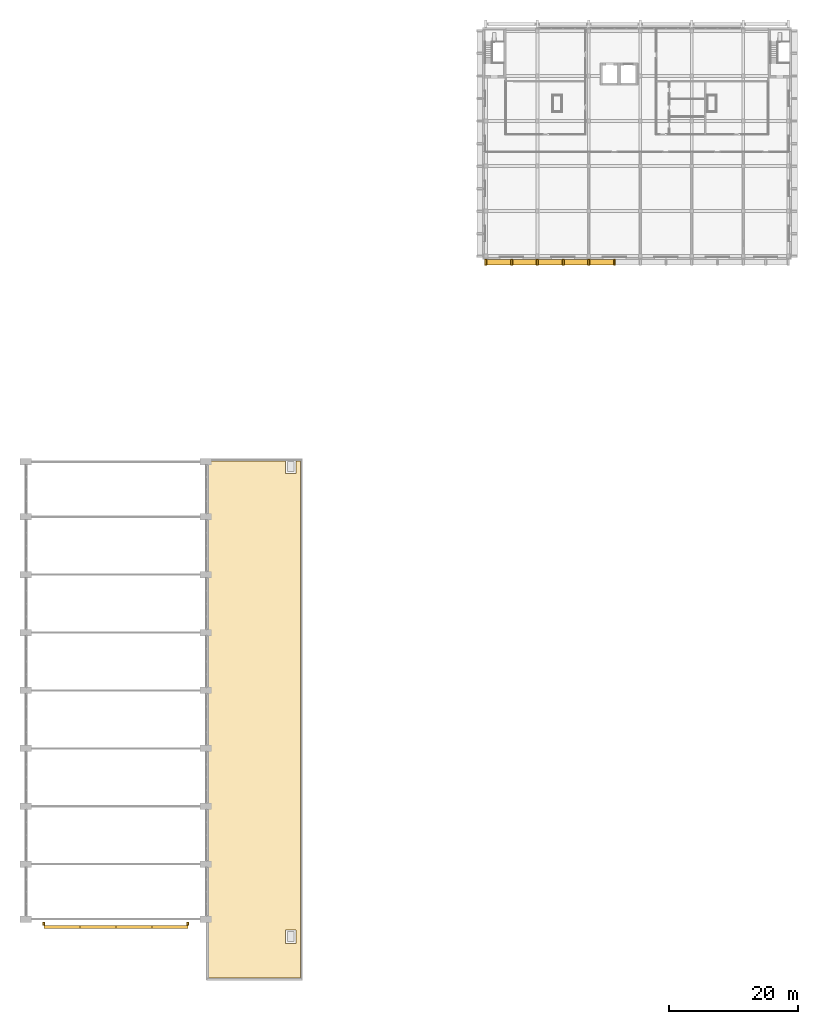
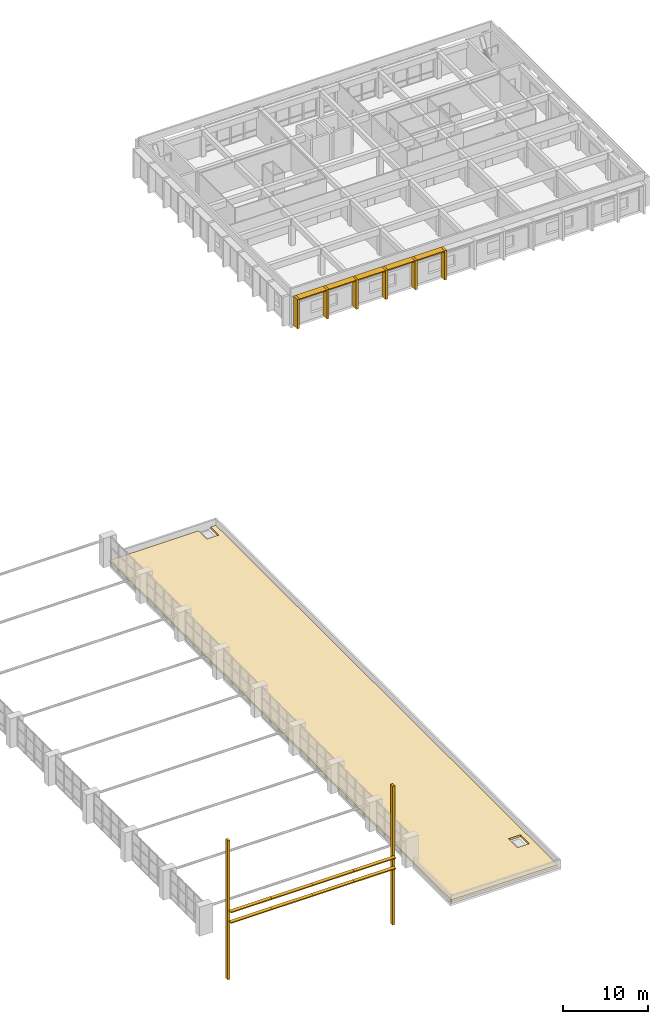
# One storey, part 20 of 21: 21 shading devices, 1 covering.
"""IFC4 building model written with IfcOpenShell, lengths in metres."""

import ifcopenshell
import ifcopenshell.guid

model = None  # the IFC model being written
_history = None  # IfcOwnerHistory: only IFC2X3 demands one
_inside = {}  # id of a spatial element -> (the spatial element, [elements in it])
_under = {}  # id of a project, library or spatial element -> (it, [spatial elements below it])
_declared = {}  # id of a project -> (the project, [libraries it declares])
_typed = {}  # id of a type object -> (the type object, [elements of that type])
_made_of = {}  # id of a material, layer set ... -> (it, [elements and type objects made of it])


def new_model(schema):
    """Start an empty IFC model of exactly this schema.

    Asked for "IFC4X3", IfcOpenShell would pick the latest addendum, in which some entities
    have other attributes; the version numbers below select the first issue.
    IFC2X3 requires an IfcOwnerHistory on every rooted entity: one is made here for all.
    """
    global model, _history
    if schema == "IFC4X3":
        model = ifcopenshell.file(schema_version=(4, 3, 0, 0))
    else:
        model = ifcopenshell.file(schema=schema)
    _inside.clear()
    _under.clear()
    _declared.clear()
    _typed.clear()
    _made_of.clear()
    _history = None
    if model.schema == "IFC2X3":
        org = make("IfcOrganization", Name="unknown")
        user = make(
            "IfcPersonAndOrganization",
            ThePerson=make("IfcPerson", FamilyName="unknown"),
            TheOrganization=org,
        )
        app = make(
            "IfcApplication",
            ApplicationDeveloper=org,
            Version="unknown",
            ApplicationFullName="unknown",
            ApplicationIdentifier="unknown",
        )
        _history = make(
            "IfcOwnerHistory",
            OwningUser=user,
            OwningApplication=app,
            ChangeAction="ADDED",
            CreationDate=0,
        )
    return model


def make(cls, **values):
    """One entity of the class cls with the attributes given. An attribute that is None is left unset."""
    return model.create_entity(
        cls, **{name: value for name, value in values.items() if value is not None}
    )


def rooted(cls, **values):
    """An entity with a GlobalId (a new one), such as an element, a storey or a relation."""
    return make(cls, GlobalId=ifcopenshell.guid.new(), OwnerHistory=_history, **values)


def si_unit(unit_type, name, prefix=None):
    """IfcSIUnit, for example si_unit("LENGTHUNIT", "METRE", prefix="MILLI")."""
    return make("IfcSIUnit", UnitType=unit_type, Prefix=prefix, Name=name)


def assignment(units):
    """IfcUnitAssignment: the units of a project."""
    return None if units is None else make("IfcUnitAssignment", Units=units)


def point(xyz):
    """IfcCartesianPoint."""
    return None if xyz is None else make("IfcCartesianPoint", Coordinates=xyz)


def direction(xyz):
    """IfcDirection."""
    return None if xyz is None else make("IfcDirection", DirectionRatios=xyz)


def frame(location, z_axis=None, x_axis=None):
    """IfcAxis2Placement3D, a coordinate frame: its origin and axes. An axis left out is left unset."""
    return make(
        "IfcAxis2Placement3D",
        Location=point(location),
        Axis=direction(z_axis),
        RefDirection=direction(x_axis),
    )


def frame_2d(location, x_axis=None):
    """IfcAxis2Placement2D, a coordinate frame in the plane: its origin and x axis."""
    return make(
        "IfcAxis2Placement2D", Location=point(location), RefDirection=direction(x_axis)
    )


def origin():
    """The frame at (0, 0, 0) with its axes left unset."""
    return frame((0.0, 0.0, 0.0))


def origin_2d():
    """The frame at (0, 0) in the plane with its x axis left unset."""
    return frame_2d((0.0, 0.0))


def place(relative_to, where):
    """IfcLocalPlacement: puts the frame where relative to a parent placement (None: the world)."""
    return make(
        "IfcLocalPlacement", PlacementRelTo=relative_to, RelativePlacement=where
    )


def context(
    kind, dimensions, precision=None, world=None, true_north=None, identifier=None
):
    """IfcGeometricRepresentationContext, for example the 3D "Model" context."""
    return make(
        "IfcGeometricRepresentationContext",
        ContextIdentifier=identifier,
        ContextType=kind,
        CoordinateSpaceDimension=dimensions,
        Precision=precision,
        WorldCoordinateSystem=world,
        TrueNorth=true_north,
    )


def subcontext(parent, identifier, kind, view, scale=None):
    """IfcGeometricRepresentationSubContext, for example "Body" below "Model"."""
    return make(
        "IfcGeometricRepresentationSubContext",
        ContextIdentifier=identifier,
        ContextType=kind,
        ParentContext=parent,
        TargetScale=scale,
        TargetView=view,
    )


def project(units=None, contexts=None):
    """IfcProject with its units and contexts."""
    return rooted(
        "IfcProject",
        Name="project",
        RepresentationContexts=contexts,
        UnitsInContext=assignment(units),
    )


def spatial(cls, under=None, at=None, **own):
    """A site, building, storey or space (cls), placed at a placement, below another one or the project."""
    s = rooted(cls, ObjectPlacement=at, **own)
    if under is not None:
        _under.setdefault(under.id(), (under, []))[1].append(s)
    return s


def polyline(points):
    """IfcPolyline through the points."""
    return make("IfcPolyline", Points=[point(p) for p in points])


def profile(cls, at=None, kind="AREA", **sizes):
    """A parametric profile (cls). Its sizes go by their IFC names, for example OverallWidth=200.0."""
    return make(cls, ProfileType=kind, Position=at, **sizes)


def rectangle(**sizes):
    """IfcRectangleProfileDef."""
    return profile("IfcRectangleProfileDef", **sizes)


def outline(outer, holes=None, kind="AREA"):
    """IfcArbitraryClosedProfileDef: a profile drawn as a closed curve; with holes, ...WithVoids."""
    if holes is None:
        return make("IfcArbitraryClosedProfileDef", ProfileType=kind, OuterCurve=outer)
    return make(
        "IfcArbitraryProfileDefWithVoids",
        ProfileType=kind,
        OuterCurve=outer,
        InnerCurves=holes,
    )


def extrude(swept, where, along, depth):
    """IfcExtrudedAreaSolid: the profile swept, set in the frame where, extruded along a direction by depth."""
    return make(
        "IfcExtrudedAreaSolid",
        SweptArea=swept,
        Position=where,
        ExtrudedDirection=direction(along),
        Depth=depth,
    )


def shape(context_of_items, identifier, shape_type, items):
    """IfcShapeRepresentation: the items that make up one representation, for example the "Body"."""
    return make(
        "IfcShapeRepresentation",
        ContextOfItems=context_of_items,
        RepresentationIdentifier=identifier,
        RepresentationType=shape_type,
        Items=items,
    )


def material(Name=None, Category=None):
    """IfcMaterial."""
    return make("IfcMaterial", Name=Name, Category=Category)


def layer(
    of_material, thickness, ventilated=None, Name=None, Category=None, Priority=None
):
    """IfcMaterialLayer: one layer of a wall or slab, of a material (None: an air gap)."""
    return make(
        "IfcMaterialLayer",
        Material=of_material,
        LayerThickness=thickness,
        IsVentilated=ventilated,
        Name=Name,
        Category=Category,
        Priority=Priority,
    )


def layer_set(layers, Name=None):
    """IfcMaterialLayerSet."""
    return make("IfcMaterialLayerSet", MaterialLayers=layers, LayerSetName=Name)


def made_of(thing, what):
    """Note that an element or type object is made of a material, layer set ...; save() writes the relation."""
    if what is not None:
        _made_of.setdefault(what.id(), (what, []))[1].append(thing)
    return thing


def type_object(cls, material=None, **own):
    """A type object (cls), such as IfcWallType, which elements share."""
    return made_of(rooted(cls, **own), material)


def element(
    cls,
    number,
    at=None,
    inside=None,
    cuts=None,
    type_object=None,
    material=None,
    context=None,
    identifier="Body",
    shape_type=None,
    held_by="IfcProductDefinitionShape",
    body=None,
    shapes=None,
    **own,
):
    """One element of the class cls, such as IfcWall. Its Tag is "e" and its number.

    at: its placement. inside: the storey or other place that contains it. cuts: it is an
    opening in that element (IfcRelVoidsElement). A single representation is given by context,
    identifier, shape_type and body (its items); several are given by shapes. held_by: the class
    of the entity that holds the representations. save() writes the other relations.
    """
    e = rooted(cls, Tag="e%d" % number, ObjectPlacement=at, **own)
    if body is not None:
        shapes = [shape(context, identifier, shape_type, body)]
    if shapes is not None:
        e.Representation = make(held_by, Representations=shapes)
    if inside is not None:
        _inside.setdefault(inside.id(), (inside, []))[1].append(e)
    if cuts is not None:
        rooted(
            "IfcRelVoidsElement", RelatingBuildingElement=cuts, RelatedOpeningElement=e
        )
    if type_object is not None:
        _typed.setdefault(type_object.id(), (type_object, []))[1].append(e)
    return made_of(e, material)


def aggregate(whole, parts):
    """IfcRelAggregates: a whole, such as a stair, and the parts it consists of."""
    return rooted("IfcRelAggregates", RelatingObject=whole, RelatedObjects=parts)


def save(model, path):
    """Write the relations noted so far, then the file.

    IfcRelAggregates (storeys below a building ...), IfcRelContainedInSpatialStructure (elements
    in a storey), IfcRelDefinesByType, IfcRelAssociatesMaterial and IfcRelDeclares: one each for
    every whole, place, type object, material and project.
    """
    for whole, parts in _under.values():
        aggregate(whole, parts)
    for where, things in _inside.values():
        rooted(
            "IfcRelContainedInSpatialStructure",
            RelatedElements=things,
            RelatingStructure=where,
        )
    for kind, things in _typed.values():
        rooted("IfcRelDefinesByType", RelatedObjects=things, RelatingType=kind)
    for what, things in _made_of.values():
        rooted("IfcRelAssociatesMaterial", RelatedObjects=things, RelatingMaterial=what)
    for by, libraries in _declared.values():
        rooted("IfcRelDeclares", RelatingContext=by, RelatedDefinitions=libraries)
    model.write(path)


model = new_model("IFC4")

# Units and contexts
model_context = context("Model", 3, precision=1e-05, world=origin(), true_north=direction((0.0, 1.0)))
body_context = subcontext(model_context, "Body", "Model", "MODEL_VIEW")
ifc_project = project(units=[si_unit("LENGTHUNIT", "METRE"), si_unit("AREAUNIT", "SQUARE_METRE"), si_unit("VOLUMEUNIT", "CUBIC_METRE"), si_unit("PLANEANGLEUNIT", "RADIAN"), si_unit("MASSUNIT", "GRAM", prefix="KILO")], contexts=[model_context])

# Site, building, storey
site_placement = place(None, origin())
site = spatial("IfcSite", under=ifc_project, at=site_placement, CompositionType="ELEMENT")
building_placement = place(site_placement, origin())
building = spatial("IfcBuilding", under=site, at=building_placement, Name="Elmora Arch Market Hall", CompositionType="ELEMENT")
storey_placement = place(building_placement, frame((0.0, 0.0, 14.39990234375)))
storey = spatial("IfcBuildingStorey", under=building, at=storey_placement, Name="L03", CompositionType="ELEMENT", Elevation=14.39990234375)

# Shading devices
ifc_material_1 = material(Name="Concrete C40/50", Category="concrete")
ifc_layer_1 = layer(ifc_material_1, 0.14990234375)
ifc_layer_set_1 = layer_set([ifc_layer_1], Name="Concrete C40/50")
shading_device_type_1 = type_object("IfcShadingDeviceType", Name="Brise-soleil blade 150 x 500", PredefinedType="USERDEFINED", material=ifc_layer_set_1)
for number, where, z_axis, x_axis, name in (
    (1, (20.60009765625, 26.25, 1.125244140625), (0.0, 0.0, 1.0), (1.0, 0.0, 0.0), "South gable blade 1.6"),
    (2, (20.60009765625, 26.25, 2.625244140625), (0.0, 0.0, 1.0), (1.0, 0.0, 0.0), "South gable blade 1.7"),
    (3, (26.199951171875, 26.25, 1.125244140625), (0.0, 0.0, 1.0), (1.0, 0.0, 0.0), "South gable blade 2.6"),
    (4, (26.199951171875, 26.25, 2.625244140625), (0.0, 0.0, 1.0), (1.0, 0.0, 0.0), "South gable blade 2.7"),
    (5, (31.800048828125, 26.25, 1.125244140625), (0.0, 0.0, 1.0), (1.0, 0.0, 0.0), "South gable blade 3.6"),
    (6, (31.800048828125, 26.25, 2.625244140625), (0.0, 0.0, 1.0), (1.0, 0.0, 0.0), "South gable blade 3.7"),
    (7, (37.39990234375, 26.25, 1.125244140625), (0.0, 0.0, 1.0), (1.0, 0.0, 0.0), "South gable blade 4.6"),
    (8, (37.39990234375, 26.25, 2.625244140625), (0.0, 0.0, 1.0), (1.0, 0.0, 0.0), "South gable blade 4.7"),
):
    element("IfcShadingDevice", number, at=place(storey_placement, frame(where, z_axis=z_axis, x_axis=x_axis)), inside=storey, type_object=shading_device_type_1, Name=name, ObjectType="BLADE", PredefinedType="USERDEFINED", context=body_context, shape_type="SweptSolid", body=[
        extrude(rectangle(XDim=5.60009765625, YDim=0.5, at=origin_2d()), origin(), (0.0, 0.0, 1.0), 0.14990234375),
    ])
ifc_material_2 = material(Name="Concrete C40/50", Category="concrete")
ifc_layer_2 = layer(ifc_material_2, 0.14990234375)
ifc_layer_set_2 = layer_set([ifc_layer_2], Name="Concrete C40/50")
shading_device_type_2 = type_object("IfcShadingDeviceType", Name="Concrete blade 150x900", PredefinedType="USERDEFINED", material=ifc_layer_set_2)
for number, where, z_axis, x_axis, name in (
    (9, (88.5, 129.550048828125, 4.050048828125), (0.0, 0.0, 1.0), (1.0, 0.0, 0.0), "School blade S1 RF"),
    (10, (92.5, 129.550048828125, 4.050048828125), (0.0, 0.0, 1.0), (1.0, 0.0, 0.0), "School blade S2 RF"),
    (11, (96.5, 129.550048828125, 4.050048828125), (0.0, 0.0, 1.0), (1.0, 0.0, 0.0), "School blade S3 RF"),
    (12, (100.5, 129.550048828125, 4.050048828125), (0.0, 0.0, 1.0), (1.0, 0.0, 0.0), "School blade S4 RF"),
    (13, (104.5, 129.550048828125, 4.050048828125), (0.0, 0.0, 1.0), (1.0, 0.0, 0.0), "School blade S5 RF"),
):
    element("IfcShadingDevice", number, at=place(storey_placement, frame(where, z_axis=z_axis, x_axis=x_axis)), inside=storey, type_object=shading_device_type_2, Name=name, ObjectType="BLADE", PredefinedType="USERDEFINED", context=body_context, shape_type="SweptSolid", body=[
        extrude(rectangle(XDim=3.699951171875, YDim=0.89990234375, at=origin_2d()), origin(), (0.0, 0.0, 1.0), 0.14990234375),
    ])
ifc_material_3 = material(Name="Concrete C40/50", Category="concrete")
shading_device_type_3 = type_object("IfcShadingDeviceType", Name="Concrete fin 300x900", PredefinedType="USERDEFINED", material=ifc_material_3)
for number, where, z_axis, x_axis, name in (
    (14, (86.5, 129.550048828125, 0.0), (0.0, 0.0, 1.0), (1.0, 0.0, 0.0), "School fin S1 L03"),
    (15, (90.5, 129.550048828125, 0.0), (0.0, 0.0, 1.0), (1.0, 0.0, 0.0), "School fin S2 L03"),
    (16, (94.5, 129.550048828125, 0.0), (0.0, 0.0, 1.0), (1.0, 0.0, 0.0), "School fin S3 L03"),
    (17, (98.5, 129.550048828125, 0.0), (0.0, 0.0, 1.0), (1.0, 0.0, 0.0), "School fin S4 L03"),
    (18, (102.5, 129.550048828125, 0.0), (0.0, 0.0, 1.0), (1.0, 0.0, 0.0), "School fin S5 L03"),
    (19, (106.5, 129.550048828125, 0.0), (0.0, 0.0, 1.0), (1.0, 0.0, 0.0), "School fin S6 L03"),
):
    element("IfcShadingDevice", number, at=place(storey_placement, frame(where, z_axis=z_axis, x_axis=x_axis)), inside=storey, type_object=shading_device_type_3, Name=name, ObjectType="FIN", PredefinedType="USERDEFINED", context=body_context, shape_type="SweptSolid", body=[
        extrude(rectangle(XDim=0.300048828125, YDim=0.89990234375, at=origin_2d()), origin(), (0.0, 0.0, 1.0), 4.199951171875),
    ])
ifc_material_4 = material(Name="Concrete C40/50", Category="concrete")
shading_device_type_4 = type_object("IfcShadingDeviceType", Name="Gable fin 300 x 500", PredefinedType="USERDEFINED", material=ifc_material_4)
for number, where, z_axis, x_axis, name in (
    (20, (17.800048828125, 26.75, -7.199951171875), (0.0, 0.0, 1.0), (1.0, 0.0, 0.0), "South gable fin 1"),
    (21, (40.199951171875, 26.75, -7.199951171875), (0.0, 0.0, 1.0), (1.0, 0.0, 0.0), "South gable fin 5"),
):
    element("IfcShadingDevice", number, at=place(storey_placement, frame(where, z_axis=z_axis, x_axis=x_axis)), inside=storey, type_object=shading_device_type_4, Name=name, ObjectType="FIN", PredefinedType="USERDEFINED", context=body_context, shape_type="SweptSolid", body=[
        extrude(rectangle(XDim=0.300048828125, YDim=0.5, at=origin_2d()), origin(), (0.0, 0.0, 1.0), 19.94775390625),
    ])

# Covering
ifc_material_5 = material(Name="Soil and drainage layer")
ifc_layer_3 = layer(ifc_material_5, 0.300048828125)
ifc_layer_set_3 = layer_set([ifc_layer_3], Name="Soil and drainage layer")
covering_type = type_object("IfcCoveringType", Name="Planted roof build-up 300", PredefinedType="ROOFING", material=ifc_layer_set_3)
covering_placement = place(storey_placement, origin())
element("IfcCovering", 22, at=covering_placement, inside=storey, type_object=covering_type, Name="Planted roof -EW", PredefinedType="ROOFING", context=body_context, shape_type="SweptSolid", body=[
    extrude(outline(polyline([(43.300048828125, 18.300048828125), (43.300048828125, 98.699951171875), (55.39990234375, 98.699951171875), (55.39990234375, 96.75), (57.0, 96.75), (57.0, 98.699951171875), (57.699951171875, 98.699951171875), (57.699951171875, 18.300048828125), (43.300048828125, 18.300048828125)]), holes=[polyline([(57.0, 23.699951171875), (57.0, 25.800048828125), (55.39990234375, 25.800048828125), (55.39990234375, 23.699951171875), (57.0, 23.699951171875)])]), origin(), (0.0, 0.0, 1.0), 0.300048828125),
])

save(model, "model.ifc")
